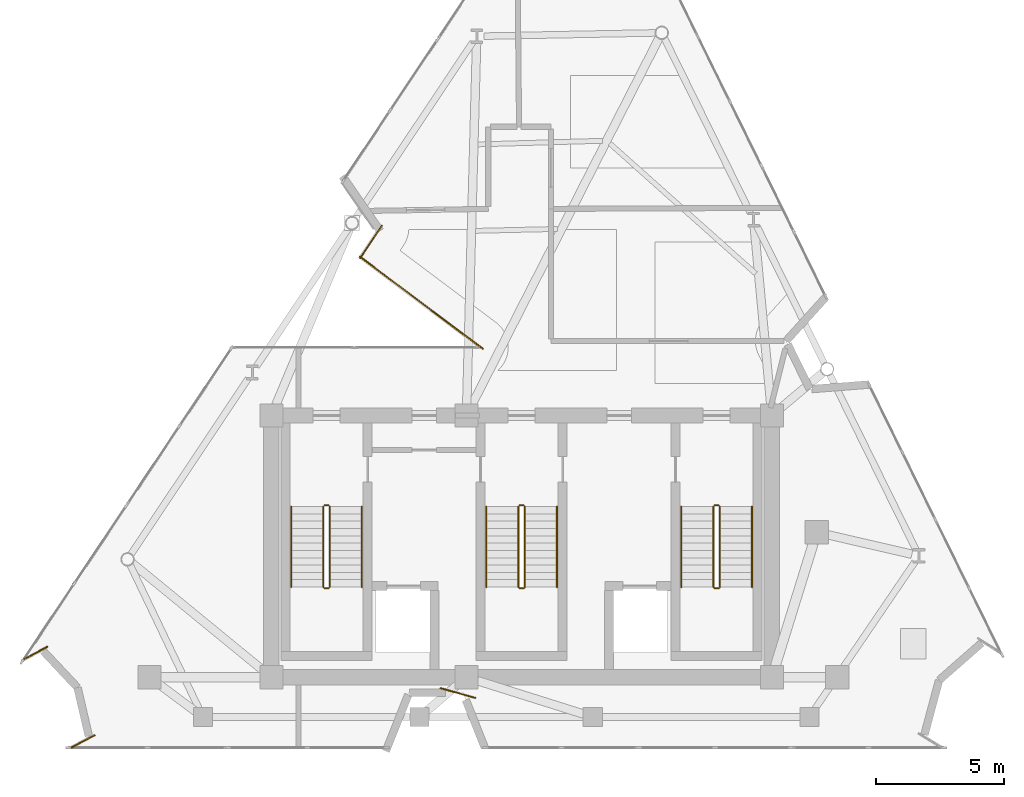
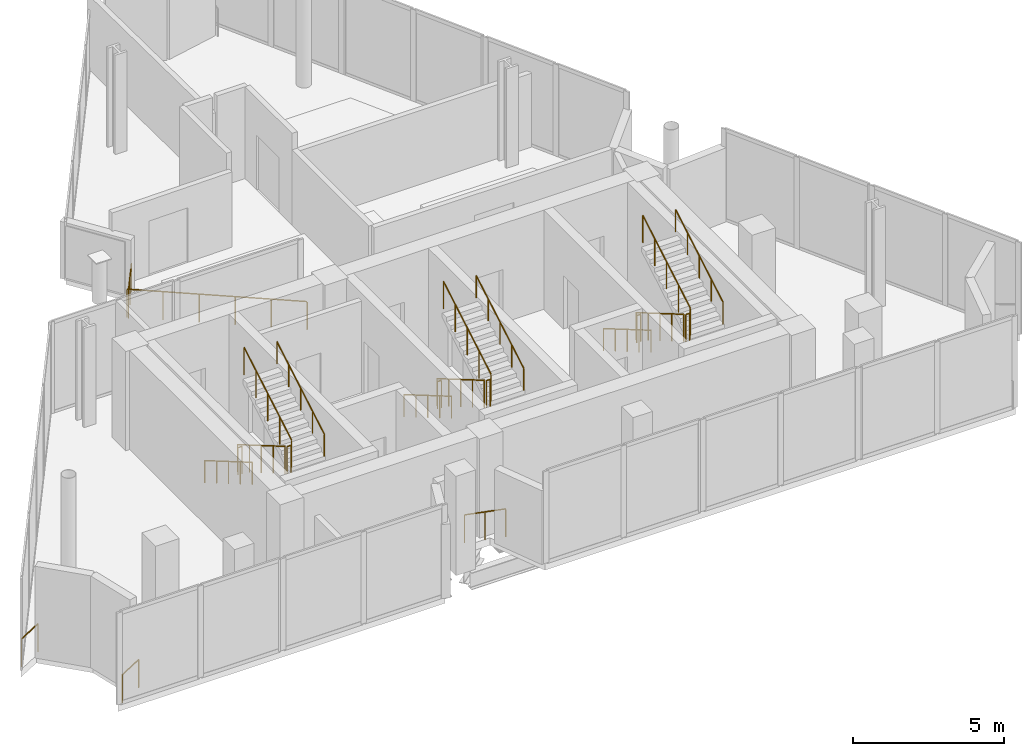
# One storey, part 8 of 9: 23 railings.
"""IFC4 building model written with IfcOpenShell, lengths in metres."""

import ifcopenshell
import ifcopenshell.guid

model = None  # the IFC model being written
_history = None  # IfcOwnerHistory: only IFC2X3 demands one
_inside = {}  # id of a spatial element -> (the spatial element, [elements in it])
_under = {}  # id of a project, library or spatial element -> (it, [spatial elements below it])
_declared = {}  # id of a project -> (the project, [libraries it declares])
_typed = {}  # id of a type object -> (the type object, [elements of that type])
_made_of = {}  # id of a material, layer set ... -> (it, [elements and type objects made of it])


def new_model(schema):
    """Start an empty IFC model of exactly this schema.

    Asked for "IFC4X3", IfcOpenShell would pick the latest addendum, in which some entities
    have other attributes; the version numbers below select the first issue.
    IFC2X3 requires an IfcOwnerHistory on every rooted entity: one is made here for all.
    """
    global model, _history
    if schema == "IFC4X3":
        model = ifcopenshell.file(schema_version=(4, 3, 0, 0))
    else:
        model = ifcopenshell.file(schema=schema)
    _inside.clear()
    _under.clear()
    _declared.clear()
    _typed.clear()
    _made_of.clear()
    _history = None
    if model.schema == "IFC2X3":
        org = make("IfcOrganization", Name="unknown")
        user = make(
            "IfcPersonAndOrganization",
            ThePerson=make("IfcPerson", FamilyName="unknown"),
            TheOrganization=org,
        )
        app = make(
            "IfcApplication",
            ApplicationDeveloper=org,
            Version="unknown",
            ApplicationFullName="unknown",
            ApplicationIdentifier="unknown",
        )
        _history = make(
            "IfcOwnerHistory",
            OwningUser=user,
            OwningApplication=app,
            ChangeAction="ADDED",
            CreationDate=0,
        )
    return model


def make(cls, **values):
    """One entity of the class cls with the attributes given. An attribute that is None is left unset."""
    return model.create_entity(
        cls, **{name: value for name, value in values.items() if value is not None}
    )


def rooted(cls, **values):
    """An entity with a GlobalId (a new one), such as an element, a storey or a relation."""
    return make(cls, GlobalId=ifcopenshell.guid.new(), OwnerHistory=_history, **values)


def si_unit(unit_type, name, prefix=None):
    """IfcSIUnit, for example si_unit("LENGTHUNIT", "METRE", prefix="MILLI")."""
    return make("IfcSIUnit", UnitType=unit_type, Prefix=prefix, Name=name)


def assignment(units):
    """IfcUnitAssignment: the units of a project."""
    return None if units is None else make("IfcUnitAssignment", Units=units)


def point(xyz):
    """IfcCartesianPoint."""
    return None if xyz is None else make("IfcCartesianPoint", Coordinates=xyz)


def direction(xyz):
    """IfcDirection."""
    return None if xyz is None else make("IfcDirection", DirectionRatios=xyz)


def frame(location, z_axis=None, x_axis=None):
    """IfcAxis2Placement3D, a coordinate frame: its origin and axes. An axis left out is left unset."""
    return make(
        "IfcAxis2Placement3D",
        Location=point(location),
        Axis=direction(z_axis),
        RefDirection=direction(x_axis),
    )


def frame_2d(location, x_axis=None):
    """IfcAxis2Placement2D, a coordinate frame in the plane: its origin and x axis."""
    return make(
        "IfcAxis2Placement2D", Location=point(location), RefDirection=direction(x_axis)
    )


def origin():
    """The frame at (0, 0, 0) with its axes left unset."""
    return frame((0.0, 0.0, 0.0))


def origin_2d():
    """The frame at (0, 0) in the plane with its x axis left unset."""
    return frame_2d((0.0, 0.0))


def place(relative_to, where):
    """IfcLocalPlacement: puts the frame where relative to a parent placement (None: the world)."""
    return make(
        "IfcLocalPlacement", PlacementRelTo=relative_to, RelativePlacement=where
    )


def context(
    kind, dimensions, precision=None, world=None, true_north=None, identifier=None
):
    """IfcGeometricRepresentationContext, for example the 3D "Model" context."""
    return make(
        "IfcGeometricRepresentationContext",
        ContextIdentifier=identifier,
        ContextType=kind,
        CoordinateSpaceDimension=dimensions,
        Precision=precision,
        WorldCoordinateSystem=world,
        TrueNorth=true_north,
    )


def subcontext(parent, identifier, kind, view, scale=None):
    """IfcGeometricRepresentationSubContext, for example "Body" below "Model"."""
    return make(
        "IfcGeometricRepresentationSubContext",
        ContextIdentifier=identifier,
        ContextType=kind,
        ParentContext=parent,
        TargetScale=scale,
        TargetView=view,
    )


def project(units=None, contexts=None):
    """IfcProject with its units and contexts."""
    return rooted(
        "IfcProject",
        Name="project",
        RepresentationContexts=contexts,
        UnitsInContext=assignment(units),
    )


def spatial(cls, under=None, at=None, **own):
    """A site, building, storey or space (cls), placed at a placement, below another one or the project."""
    s = rooted(cls, ObjectPlacement=at, **own)
    if under is not None:
        _under.setdefault(under.id(), (under, []))[1].append(s)
    return s


def profile(cls, at=None, kind="AREA", **sizes):
    """A parametric profile (cls). Its sizes go by their IFC names, for example OverallWidth=200.0."""
    return make(cls, ProfileType=kind, Position=at, **sizes)


def circle(**sizes):
    """IfcCircleProfileDef."""
    return profile("IfcCircleProfileDef", **sizes)


def extrude(swept, where, along, depth):
    """IfcExtrudedAreaSolid: the profile swept, set in the frame where, extruded along a direction by depth."""
    return make(
        "IfcExtrudedAreaSolid",
        SweptArea=swept,
        Position=where,
        ExtrudedDirection=direction(along),
        Depth=depth,
    )


def shape(context_of_items, identifier, shape_type, items):
    """IfcShapeRepresentation: the items that make up one representation, for example the "Body"."""
    return make(
        "IfcShapeRepresentation",
        ContextOfItems=context_of_items,
        RepresentationIdentifier=identifier,
        RepresentationType=shape_type,
        Items=items,
    )


def material(Name=None, Category=None):
    """IfcMaterial."""
    return make("IfcMaterial", Name=Name, Category=Category)


def made_of(thing, what):
    """Note that an element or type object is made of a material, layer set ...; save() writes the relation."""
    if what is not None:
        _made_of.setdefault(what.id(), (what, []))[1].append(thing)
    return thing


def type_object(cls, material=None, **own):
    """A type object (cls), such as IfcWallType, which elements share."""
    return made_of(rooted(cls, **own), material)


def element(
    cls,
    number,
    at=None,
    inside=None,
    cuts=None,
    type_object=None,
    material=None,
    context=None,
    identifier="Body",
    shape_type=None,
    held_by="IfcProductDefinitionShape",
    body=None,
    shapes=None,
    **own,
):
    """One element of the class cls, such as IfcWall. Its Tag is "e" and its number.

    at: its placement. inside: the storey or other place that contains it. cuts: it is an
    opening in that element (IfcRelVoidsElement). A single representation is given by context,
    identifier, shape_type and body (its items); several are given by shapes. held_by: the class
    of the entity that holds the representations. save() writes the other relations.
    """
    e = rooted(cls, Tag="e%d" % number, ObjectPlacement=at, **own)
    if body is not None:
        shapes = [shape(context, identifier, shape_type, body)]
    if shapes is not None:
        e.Representation = make(held_by, Representations=shapes)
    if inside is not None:
        _inside.setdefault(inside.id(), (inside, []))[1].append(e)
    if cuts is not None:
        rooted(
            "IfcRelVoidsElement", RelatingBuildingElement=cuts, RelatedOpeningElement=e
        )
    if type_object is not None:
        _typed.setdefault(type_object.id(), (type_object, []))[1].append(e)
    return made_of(e, material)


def aggregate(whole, parts):
    """IfcRelAggregates: a whole, such as a stair, and the parts it consists of."""
    return rooted("IfcRelAggregates", RelatingObject=whole, RelatedObjects=parts)


def save(model, path):
    """Write the relations noted so far, then the file.

    IfcRelAggregates (storeys below a building ...), IfcRelContainedInSpatialStructure (elements
    in a storey), IfcRelDefinesByType, IfcRelAssociatesMaterial and IfcRelDeclares: one each for
    every whole, place, type object, material and project.
    """
    for whole, parts in _under.values():
        aggregate(whole, parts)
    for where, things in _inside.values():
        rooted(
            "IfcRelContainedInSpatialStructure",
            RelatedElements=things,
            RelatingStructure=where,
        )
    for kind, things in _typed.values():
        rooted("IfcRelDefinesByType", RelatedObjects=things, RelatingType=kind)
    for what, things in _made_of.values():
        rooted("IfcRelAssociatesMaterial", RelatedObjects=things, RelatingMaterial=what)
    for by, libraries in _declared.values():
        rooted("IfcRelDeclares", RelatingContext=by, RelatedDefinitions=libraries)
    model.write(path)


model = new_model("IFC4")

# Units and contexts
model_context = context("Model", 3, precision=1e-05, world=origin(), true_north=direction((0.0, 1.0)))
body_context = subcontext(model_context, "Body", "Model", "MODEL_VIEW")
ifc_project = project(units=[si_unit("LENGTHUNIT", "METRE"), si_unit("AREAUNIT", "SQUARE_METRE"), si_unit("VOLUMEUNIT", "CUBIC_METRE"), si_unit("PLANEANGLEUNIT", "RADIAN"), si_unit("MASSUNIT", "GRAM", prefix="KILO")], contexts=[model_context])

# Site, building, storey
site_placement = place(None, origin())
site = spatial("IfcSite", under=ifc_project, at=site_placement, CompositionType="ELEMENT")
building_placement = place(site_placement, origin())
building = spatial("IfcBuilding", under=site, at=building_placement, Name="Almagre Mirador Tower", CompositionType="ELEMENT")
storey_placement = place(building_placement, frame((0.0, 0.0, 314.5)))
storey = spatial("IfcBuildingStorey", under=building, at=storey_placement, Name="L81", CompositionType="ELEMENT", Elevation=314.5)

# Railings
ifc_material_1 = material(Name="Black anodized aluminium", Category="aluminium")
railing_type_1 = type_object("IfcRailingType", Name="RLG-BAL-1150", PredefinedType="BALUSTRADE", material=ifc_material_1)
railing_1_placement = place(storey_placement, frame((35.78076171875, 17.35205078125, 0.0)))
element("IfcRailing", 1, at=railing_1_placement, inside=storey, type_object=railing_type_1, Name="L81 perimeter edge balustrade 01", PredefinedType="BALUSTRADE", context=body_context, shape_type="SweptSolid", body=[
    extrude(circle(Radius=0.02392578125, at=origin_2d()), frame((0.0, 0.0, 1.1259765625), z_axis=(-0.800014678181, 0.599980428593, 0.0), x_axis=(-0.599980428593, -0.800014678181, 0.0)), (0.0, 0.0, 1.0), 5.98779296875),
    extrude(circle(Radius=0.02099609375, at=origin_2d()), origin(), (0.0, 0.0, 1.0), 1.101806640625),
    extrude(circle(Radius=0.02099609375, at=origin_2d()), frame((-0.9580078125, 0.718505859375, 0.0)), (0.0, 0.0, 1.0), 1.101806640625),
    extrude(circle(Radius=0.02099609375, at=origin_2d()), frame((-1.916015625, 1.43701171875, 0.0)), (0.0, 0.0, 1.0), 1.101806640625),
    extrude(circle(Radius=0.02099609375, at=origin_2d()), frame((-2.874267578125, 2.155517578125, 0.0)), (0.0, 0.0, 1.0), 1.101806640625),
    extrude(circle(Radius=0.02099609375, at=origin_2d()), frame((-3.832275390625, 2.8740234375, 0.0)), (0.0, 0.0, 1.0), 1.101806640625),
    extrude(circle(Radius=0.02099609375, at=origin_2d()), frame((-4.790283203125, 3.592529296875, 0.0)), (0.0, 0.0, 1.0), 1.101806640625),
])
railing_2_placement = place(storey_placement, frame((31.002685546875, 20.873046875, 0.0)))
element("IfcRailing", 2, at=railing_2_placement, inside=storey, type_object=railing_type_1, Name="L81 perimeter edge balustrade 02", PredefinedType="BALUSTRADE", context=body_context, shape_type="SweptSolid", body=[
    extrude(circle(Radius=0.02392578125, at=origin_2d()), frame((0.0, 0.0, 1.1259765625), z_axis=(0.554957406346, 0.831878763487, 0.0), x_axis=(-0.831878763487, 0.554957406346, 0.0)), (0.0, 0.0, 1.0), 1.533203125),
    extrude(circle(Radius=0.02099609375, at=origin_2d()), origin(), (0.0, 0.0, 1.0), 1.101806640625),
    extrude(circle(Radius=0.02099609375, at=origin_2d()), frame((0.42529296875, 0.6376953125, 0.0)), (0.0, 0.0, 1.0), 1.101806640625),
    extrude(circle(Radius=0.02099609375, at=origin_2d()), frame((0.850830078125, 1.275390625, 0.0)), (0.0, 0.0, 1.0), 1.101806640625),
])
railing_3_placement = place(storey_placement, frame((35.4912109375, 3.74462890625, 0.0)))
element("IfcRailing", 3, at=railing_3_placement, inside=storey, type_object=railing_type_1, Name="L81 perimeter edge balustrade 07", PredefinedType="BALUSTRADE", context=body_context, shape_type="SweptSolid", body=[
    extrude(circle(Radius=0.02392578125, at=origin_2d()), frame((0.0, 0.0, 1.1259765625), z_axis=(-0.963090412307, 0.269178115237, 0.0), x_axis=(-0.269178115237, -0.963090412307, 0.0)), (0.0, 0.0, 1.0), 1.403076171875),
    extrude(circle(Radius=0.02099609375, at=origin_2d()), origin(), (0.0, 0.0, 1.0), 1.101806640625),
    extrude(circle(Radius=0.02099609375, at=origin_2d()), frame((-0.67578125, 0.18896484375, 0.0)), (0.0, 0.0, 1.0), 1.101806640625),
    extrude(circle(Radius=0.02099609375, at=origin_2d()), frame((-1.351318359375, 0.377685546875, 0.0)), (0.0, 0.0, 1.0), 1.101806640625),
])
railing_4_placement = place(storey_placement, frame((19.74951171875, 1.800537109375, 0.0)))
element("IfcRailing", 4, at=railing_4_placement, inside=storey, type_object=railing_type_1, Name="L81 perimeter edge balustrade 08", PredefinedType="BALUSTRADE", context=body_context, shape_type="SweptSolid", body=[
    extrude(circle(Radius=0.02392578125, at=origin_2d()), frame((0.0, 0.0, 1.1259765625), z_axis=(0.881494030228, 0.472195165871, 0.0), x_axis=(-0.472195165871, 0.881494030228, 0.0)), (0.0, 0.0, 1.0), 1.032470703125),
    extrude(circle(Radius=0.02099609375, at=origin_2d()), origin(), (0.0, 0.0, 1.0), 1.101806640625),
    extrude(circle(Radius=0.02099609375, at=origin_2d()), frame((0.91015625, 0.487548828125, 0.0)), (0.0, 0.0, 1.0), 1.101806640625),
])
railing_5_placement = place(storey_placement, frame((18.814697265625, 5.7373046875, 0.0)))
element("IfcRailing", 5, at=railing_5_placement, inside=storey, type_object=railing_type_1, Name="L81 perimeter edge balustrade 09", PredefinedType="BALUSTRADE", context=body_context, shape_type="SweptSolid", body=[
    extrude(circle(Radius=0.02392578125, at=origin_2d()), frame((0.0, 0.0, 1.1259765625), z_axis=(-0.881985926768, -0.471275741985, 0.0), x_axis=(0.471275741985, -0.881985926768, 0.0)), (0.0, 0.0, 1.0), 1.031982421875),
    extrude(circle(Radius=0.02099609375, at=origin_2d()), origin(), (0.0, 0.0, 1.0), 1.101806640625),
    extrude(circle(Radius=0.02099609375, at=origin_2d()), frame((-0.91015625, -0.486328125, 0.0)), (0.0, 0.0, 1.0), 1.101806640625),
])
ifc_material_2 = material(Name="Painted galvanized steel", Category="steel")
railing_type_2 = type_object("IfcRailingType", Name="RLG-GRD-1100", PredefinedType="GUARDRAIL", material=ifc_material_2)
railing_6_placement = place(storey_placement, frame((29.574951171875, 11.199951171875, 0.166748046875)))
element("IfcRailing", 6, at=railing_6_placement, inside=storey, type_object=railing_type_2, Name="L81 ST-1 stair guard 1", PredefinedType="GUARDRAIL", context=body_context, shape_type="SweptSolid", body=[
    extrude(circle(Radius=0.02392578125, at=origin_2d()), frame((0.0, 0.0, 1.09619140625), z_axis=(0.0, -0.863239559939, 0.504794475164), x_axis=(1.0, 0.0, 0.0)), (0.0, 0.0, 1.0), 3.631591796875),
    extrude(circle(Radius=0.02099609375, at=origin_2d()), origin(), (0.0, 0.0, 1.0), 1.072021484375),
    extrude(circle(Radius=0.02099609375, at=origin_2d()), frame((0.0, -0.78369140625, 0.458251953125)), (0.0, 0.0, 1.0), 1.072021484375),
    extrude(circle(Radius=0.02099609375, at=origin_2d()), frame((0.0, -1.5673828125, 0.91650390625)), (0.0, 0.0, 1.0), 1.072021484375),
    extrude(circle(Radius=0.02099609375, at=origin_2d()), frame((0.0, -2.351318359375, 1.375)), (0.0, 0.0, 1.0), 1.072021484375),
    extrude(circle(Radius=0.02099609375, at=origin_2d()), frame((0.0, -3.135009765625, 1.833251953125)), (0.0, 0.0, 1.0), 1.072021484375),
])
railing_7_placement = place(storey_placement, frame((29.625, 8.014892578125, 2.0)))
element("IfcRailing", 7, at=railing_7_placement, inside=storey, type_object=railing_type_2, Name="L81 ST-1 stair guard 2", PredefinedType="GUARDRAIL", context=body_context, shape_type="SweptSolid", body=[
    extrude(circle(Radius=0.02392578125, at=origin_2d()), frame((0.0, 0.0, 1.09619140625), z_axis=(1.0, 0.0, 0.0), x_axis=(0.0, 1.0, 0.0)), (0.0, 0.0, 1.0), 0.14990234375),
    extrude(circle(Radius=0.02099609375, at=origin_2d()), origin(), (0.0, 0.0, 1.0), 1.072021484375),
    extrude(circle(Radius=0.02099609375, at=origin_2d()), frame((0.14990234375, 0.0, 0.0)), (0.0, 0.0, 1.0), 1.072021484375),
])
railing_8_placement = place(storey_placement, frame((29.824951171875, 8.06494140625, 2.166748046875)))
element("IfcRailing", 8, at=railing_8_placement, inside=storey, type_object=railing_type_2, Name="L81 ST-1 stair guard 3", PredefinedType="GUARDRAIL", context=body_context, shape_type="SweptSolid", body=[
    extrude(circle(Radius=0.02392578125, at=origin_2d()), frame((0.0, 0.0, 1.09619140625), z_axis=(0.0, 0.863239559939, 0.504794475164), x_axis=(-1.0, 0.0, 0.0)), (0.0, 0.0, 1.0), 3.631591796875),
    extrude(circle(Radius=0.02099609375, at=origin_2d()), origin(), (0.0, 0.0, 1.0), 1.072021484375),
    extrude(circle(Radius=0.02099609375, at=origin_2d()), frame((0.0, 0.78369140625, 0.458251953125)), (0.0, 0.0, 1.0), 1.072021484375),
    extrude(circle(Radius=0.02099609375, at=origin_2d()), frame((0.0, 1.5673828125, 0.91650390625)), (0.0, 0.0, 1.0), 1.072021484375),
    extrude(circle(Radius=0.02099609375, at=origin_2d()), frame((0.0, 2.351318359375, 1.375)), (0.0, 0.0, 1.0), 1.072021484375),
    extrude(circle(Radius=0.02099609375, at=origin_2d()), frame((0.0, 3.135009765625, 1.833251953125)), (0.0, 0.0, 1.0), 1.072021484375),
])
railing_9_placement = place(storey_placement, frame((29.625, 11.25, 0.0)))
element("IfcRailing", 9, at=railing_9_placement, inside=storey, type_object=railing_type_2, Name="L81 ST-1 stair guard 4", PredefinedType="GUARDRAIL", context=body_context, shape_type="SweptSolid", body=[
    extrude(circle(Radius=0.02392578125, at=origin_2d()), frame((0.0, 0.0, 1.09619140625), z_axis=(1.0, 0.0, 0.0), x_axis=(0.0, 1.0, 0.0)), (0.0, 0.0, 1.0), 0.14990234375),
    extrude(circle(Radius=0.02099609375, at=origin_2d()), origin(), (0.0, 0.0, 1.0), 1.072021484375),
    extrude(circle(Radius=0.02099609375, at=origin_2d()), frame((0.14990234375, 0.0, 0.0)), (0.0, 0.0, 1.0), 1.072021484375),
])
railing_10_placement = place(storey_placement, frame((37.175048828125, 11.199951171875, 0.166748046875)))
element("IfcRailing", 10, at=railing_10_placement, inside=storey, type_object=railing_type_2, Name="L81 ST-2 stair guard 1", PredefinedType="GUARDRAIL", context=body_context, shape_type="SweptSolid", body=[
    extrude(circle(Radius=0.02392578125, at=origin_2d()), frame((0.0, 0.0, 1.09619140625), z_axis=(0.0, -0.863239559939, 0.504794475164), x_axis=(1.0, 0.0, 0.0)), (0.0, 0.0, 1.0), 3.631591796875),
    extrude(circle(Radius=0.02099609375, at=origin_2d()), origin(), (0.0, 0.0, 1.0), 1.072021484375),
    extrude(circle(Radius=0.02099609375, at=origin_2d()), frame((0.0, -0.78369140625, 0.458251953125)), (0.0, 0.0, 1.0), 1.072021484375),
    extrude(circle(Radius=0.02099609375, at=origin_2d()), frame((0.0, -1.5673828125, 0.91650390625)), (0.0, 0.0, 1.0), 1.072021484375),
    extrude(circle(Radius=0.02099609375, at=origin_2d()), frame((0.0, -2.351318359375, 1.375)), (0.0, 0.0, 1.0), 1.072021484375),
    extrude(circle(Radius=0.02099609375, at=origin_2d()), frame((0.0, -3.135009765625, 1.833251953125)), (0.0, 0.0, 1.0), 1.072021484375),
])
railing_11_placement = place(storey_placement, frame((37.22509765625, 8.014892578125, 2.0)))
element("IfcRailing", 11, at=railing_11_placement, inside=storey, type_object=railing_type_2, Name="L81 ST-2 stair guard 2", PredefinedType="GUARDRAIL", context=body_context, shape_type="SweptSolid", body=[
    extrude(circle(Radius=0.02392578125, at=origin_2d()), frame((0.0, 0.0, 1.09619140625), z_axis=(1.0, 0.0, 0.0), x_axis=(0.0, 1.0, 0.0)), (0.0, 0.0, 1.0), 0.14990234375),
    extrude(circle(Radius=0.02099609375, at=origin_2d()), origin(), (0.0, 0.0, 1.0), 1.072021484375),
    extrude(circle(Radius=0.02099609375, at=origin_2d()), frame((0.14990234375, 0.0, 0.0)), (0.0, 0.0, 1.0), 1.072021484375),
])
railing_12_placement = place(storey_placement, frame((37.425048828125, 8.06494140625, 2.166748046875)))
element("IfcRailing", 12, at=railing_12_placement, inside=storey, type_object=railing_type_2, Name="L81 ST-2 stair guard 3", PredefinedType="GUARDRAIL", context=body_context, shape_type="SweptSolid", body=[
    extrude(circle(Radius=0.02392578125, at=origin_2d()), frame((0.0, 0.0, 1.09619140625), z_axis=(0.0, 0.863239559939, 0.504794475164), x_axis=(-1.0, 0.0, 0.0)), (0.0, 0.0, 1.0), 3.631591796875),
    extrude(circle(Radius=0.02099609375, at=origin_2d()), origin(), (0.0, 0.0, 1.0), 1.072021484375),
    extrude(circle(Radius=0.02099609375, at=origin_2d()), frame((0.0, 0.78369140625, 0.458251953125)), (0.0, 0.0, 1.0), 1.072021484375),
    extrude(circle(Radius=0.02099609375, at=origin_2d()), frame((0.0, 1.5673828125, 0.91650390625)), (0.0, 0.0, 1.0), 1.072021484375),
    extrude(circle(Radius=0.02099609375, at=origin_2d()), frame((0.0, 2.351318359375, 1.375)), (0.0, 0.0, 1.0), 1.072021484375),
    extrude(circle(Radius=0.02099609375, at=origin_2d()), frame((0.0, 3.135009765625, 1.833251953125)), (0.0, 0.0, 1.0), 1.072021484375),
])
railing_13_placement = place(storey_placement, frame((37.22509765625, 11.25, 0.0)))
element("IfcRailing", 13, at=railing_13_placement, inside=storey, type_object=railing_type_2, Name="L81 ST-2 stair guard 4", PredefinedType="GUARDRAIL", context=body_context, shape_type="SweptSolid", body=[
    extrude(circle(Radius=0.02392578125, at=origin_2d()), frame((0.0, 0.0, 1.09619140625), z_axis=(1.0, 0.0, 0.0), x_axis=(0.0, 1.0, 0.0)), (0.0, 0.0, 1.0), 0.14990234375),
    extrude(circle(Radius=0.02099609375, at=origin_2d()), origin(), (0.0, 0.0, 1.0), 1.072021484375),
    extrude(circle(Radius=0.02099609375, at=origin_2d()), frame((0.14990234375, 0.0, 0.0)), (0.0, 0.0, 1.0), 1.072021484375),
])
railing_14_placement = place(storey_placement, frame((44.77490234375, 11.199951171875, 0.166748046875)))
element("IfcRailing", 14, at=railing_14_placement, inside=storey, type_object=railing_type_2, Name="L81 ST-3 stair guard 1", PredefinedType="GUARDRAIL", context=body_context, shape_type="SweptSolid", body=[
    extrude(circle(Radius=0.02392578125, at=origin_2d()), frame((0.0, 0.0, 1.09619140625), z_axis=(0.0, -0.863239559939, 0.504794475164), x_axis=(1.0, 0.0, 0.0)), (0.0, 0.0, 1.0), 3.631591796875),
    extrude(circle(Radius=0.02099609375, at=origin_2d()), origin(), (0.0, 0.0, 1.0), 1.072021484375),
    extrude(circle(Radius=0.02099609375, at=origin_2d()), frame((0.0, -0.78369140625, 0.458251953125)), (0.0, 0.0, 1.0), 1.072021484375),
    extrude(circle(Radius=0.02099609375, at=origin_2d()), frame((0.0, -1.5673828125, 0.91650390625)), (0.0, 0.0, 1.0), 1.072021484375),
    extrude(circle(Radius=0.02099609375, at=origin_2d()), frame((0.0, -2.351318359375, 1.375)), (0.0, 0.0, 1.0), 1.072021484375),
    extrude(circle(Radius=0.02099609375, at=origin_2d()), frame((0.0, -3.135009765625, 1.833251953125)), (0.0, 0.0, 1.0), 1.072021484375),
])
railing_15_placement = place(storey_placement, frame((44.824951171875, 8.014892578125, 2.0)))
element("IfcRailing", 15, at=railing_15_placement, inside=storey, type_object=railing_type_2, Name="L81 ST-3 stair guard 2", PredefinedType="GUARDRAIL", context=body_context, shape_type="SweptSolid", body=[
    extrude(circle(Radius=0.02392578125, at=origin_2d()), frame((0.0, 0.0, 1.09619140625), z_axis=(1.0, 0.0, 0.0), x_axis=(0.0, 1.0, 0.0)), (0.0, 0.0, 1.0), 0.150146484375),
    extrude(circle(Radius=0.02099609375, at=origin_2d()), origin(), (0.0, 0.0, 1.0), 1.072021484375),
    extrude(circle(Radius=0.02099609375, at=origin_2d()), frame((0.150146484375, 0.0, 0.0)), (0.0, 0.0, 1.0), 1.072021484375),
])
railing_16_placement = place(storey_placement, frame((45.02490234375, 8.06494140625, 2.166748046875)))
element("IfcRailing", 16, at=railing_16_placement, inside=storey, type_object=railing_type_2, Name="L81 ST-3 stair guard 3", PredefinedType="GUARDRAIL", context=body_context, shape_type="SweptSolid", body=[
    extrude(circle(Radius=0.02392578125, at=origin_2d()), frame((0.0, 0.0, 1.09619140625), z_axis=(0.0, 0.863239559939, 0.504794475164), x_axis=(-1.0, 0.0, 0.0)), (0.0, 0.0, 1.0), 3.631591796875),
    extrude(circle(Radius=0.02099609375, at=origin_2d()), origin(), (0.0, 0.0, 1.0), 1.072021484375),
    extrude(circle(Radius=0.02099609375, at=origin_2d()), frame((0.0, 0.78369140625, 0.458251953125)), (0.0, 0.0, 1.0), 1.072021484375),
    extrude(circle(Radius=0.02099609375, at=origin_2d()), frame((0.0, 1.5673828125, 0.91650390625)), (0.0, 0.0, 1.0), 1.072021484375),
    extrude(circle(Radius=0.02099609375, at=origin_2d()), frame((0.0, 2.351318359375, 1.375)), (0.0, 0.0, 1.0), 1.072021484375),
    extrude(circle(Radius=0.02099609375, at=origin_2d()), frame((0.0, 3.135009765625, 1.833251953125)), (0.0, 0.0, 1.0), 1.072021484375),
])
railing_17_placement = place(storey_placement, frame((44.824951171875, 11.25, 0.0)))
element("IfcRailing", 17, at=railing_17_placement, inside=storey, type_object=railing_type_2, Name="L81 ST-3 stair guard 4", PredefinedType="GUARDRAIL", context=body_context, shape_type="SweptSolid", body=[
    extrude(circle(Radius=0.02392578125, at=origin_2d()), frame((0.0, 0.0, 1.09619140625), z_axis=(1.0, 0.0, 0.0), x_axis=(0.0, 1.0, 0.0)), (0.0, 0.0, 1.0), 0.150146484375),
    extrude(circle(Radius=0.02099609375, at=origin_2d()), origin(), (0.0, 0.0, 1.0), 1.072021484375),
    extrude(circle(Radius=0.02099609375, at=origin_2d()), frame((0.150146484375, 0.0, 0.0)), (0.0, 0.0, 1.0), 1.072021484375),
])
ifc_material_3 = material(Name="Brushed stainless steel", Category="steel")
railing_type_3 = type_object("IfcRailingType", Name="RLG-HND-915", PredefinedType="HANDRAIL", material=ifc_material_3)
railing_18_placement = place(storey_placement, frame((28.324951171875, 11.199951171875, 0.166748046875)))
element("IfcRailing", 18, at=railing_18_placement, inside=storey, type_object=railing_type_3, Name="L81 ST-1 stair handrail 1", PredefinedType="HANDRAIL", context=body_context, shape_type="SweptSolid", body=[
    extrude(circle(Radius=0.02392578125, at=origin_2d()), frame((0.0, 0.0, 0.89111328125), z_axis=(0.0, -0.863239559939, 0.504794475164), x_axis=(1.0, 0.0, 0.0)), (0.0, 0.0, 1.0), 3.631591796875),
    extrude(circle(Radius=0.02099609375, at=origin_2d()), origin(), (0.0, 0.0, 1.0), 0.866943359375),
    extrude(circle(Radius=0.02099609375, at=origin_2d()), frame((0.0, -0.78369140625, 0.458251953125)), (0.0, 0.0, 1.0), 0.866943359375),
    extrude(circle(Radius=0.02099609375, at=origin_2d()), frame((0.0, -1.5673828125, 0.91650390625)), (0.0, 0.0, 1.0), 0.866943359375),
    extrude(circle(Radius=0.02099609375, at=origin_2d()), frame((0.0, -2.351318359375, 1.375)), (0.0, 0.0, 1.0), 0.866943359375),
    extrude(circle(Radius=0.02099609375, at=origin_2d()), frame((0.0, -3.135009765625, 1.833251953125)), (0.0, 0.0, 1.0), 0.866943359375),
])
railing_19_placement = place(storey_placement, frame((31.074951171875, 8.06494140625, 2.166748046875)))
element("IfcRailing", 19, at=railing_19_placement, inside=storey, type_object=railing_type_3, Name="L81 ST-1 stair handrail 2", PredefinedType="HANDRAIL", context=body_context, shape_type="SweptSolid", body=[
    extrude(circle(Radius=0.02392578125, at=origin_2d()), frame((0.0, 0.0, 0.89111328125), z_axis=(0.0, 0.863239559939, 0.504794475164), x_axis=(-1.0, 0.0, 0.0)), (0.0, 0.0, 1.0), 3.631591796875),
    extrude(circle(Radius=0.02099609375, at=origin_2d()), origin(), (0.0, 0.0, 1.0), 0.866943359375),
    extrude(circle(Radius=0.02099609375, at=origin_2d()), frame((0.0, 0.78369140625, 0.458251953125)), (0.0, 0.0, 1.0), 0.866943359375),
    extrude(circle(Radius=0.02099609375, at=origin_2d()), frame((0.0, 1.5673828125, 0.91650390625)), (0.0, 0.0, 1.0), 0.866943359375),
    extrude(circle(Radius=0.02099609375, at=origin_2d()), frame((0.0, 2.351318359375, 1.375)), (0.0, 0.0, 1.0), 0.866943359375),
    extrude(circle(Radius=0.02099609375, at=origin_2d()), frame((0.0, 3.135009765625, 1.833251953125)), (0.0, 0.0, 1.0), 0.866943359375),
])
railing_20_placement = place(storey_placement, frame((35.925048828125, 11.199951171875, 0.166748046875)))
element("IfcRailing", 20, at=railing_20_placement, inside=storey, type_object=railing_type_3, Name="L81 ST-2 stair handrail 1", PredefinedType="HANDRAIL", context=body_context, shape_type="SweptSolid", body=[
    extrude(circle(Radius=0.02392578125, at=origin_2d()), frame((0.0, 0.0, 0.89111328125), z_axis=(0.0, -0.863239559939, 0.504794475164), x_axis=(1.0, 0.0, 0.0)), (0.0, 0.0, 1.0), 3.631591796875),
    extrude(circle(Radius=0.02099609375, at=origin_2d()), origin(), (0.0, 0.0, 1.0), 0.866943359375),
    extrude(circle(Radius=0.02099609375, at=origin_2d()), frame((0.0, -0.78369140625, 0.458251953125)), (0.0, 0.0, 1.0), 0.866943359375),
    extrude(circle(Radius=0.02099609375, at=origin_2d()), frame((0.0, -1.5673828125, 0.91650390625)), (0.0, 0.0, 1.0), 0.866943359375),
    extrude(circle(Radius=0.02099609375, at=origin_2d()), frame((0.0, -2.351318359375, 1.375)), (0.0, 0.0, 1.0), 0.866943359375),
    extrude(circle(Radius=0.02099609375, at=origin_2d()), frame((0.0, -3.135009765625, 1.833251953125)), (0.0, 0.0, 1.0), 0.866943359375),
])
railing_21_placement = place(storey_placement, frame((38.675048828125, 8.06494140625, 2.166748046875)))
element("IfcRailing", 21, at=railing_21_placement, inside=storey, type_object=railing_type_3, Name="L81 ST-2 stair handrail 2", PredefinedType="HANDRAIL", context=body_context, shape_type="SweptSolid", body=[
    extrude(circle(Radius=0.02392578125, at=origin_2d()), frame((0.0, 0.0, 0.89111328125), z_axis=(0.0, 0.863239559939, 0.504794475164), x_axis=(-1.0, 0.0, 0.0)), (0.0, 0.0, 1.0), 3.631591796875),
    extrude(circle(Radius=0.02099609375, at=origin_2d()), origin(), (0.0, 0.0, 1.0), 0.866943359375),
    extrude(circle(Radius=0.02099609375, at=origin_2d()), frame((0.0, 0.78369140625, 0.458251953125)), (0.0, 0.0, 1.0), 0.866943359375),
    extrude(circle(Radius=0.02099609375, at=origin_2d()), frame((0.0, 1.5673828125, 0.91650390625)), (0.0, 0.0, 1.0), 0.866943359375),
    extrude(circle(Radius=0.02099609375, at=origin_2d()), frame((0.0, 2.351318359375, 1.375)), (0.0, 0.0, 1.0), 0.866943359375),
    extrude(circle(Radius=0.02099609375, at=origin_2d()), frame((0.0, 3.135009765625, 1.833251953125)), (0.0, 0.0, 1.0), 0.866943359375),
])
railing_22_placement = place(storey_placement, frame((43.52490234375, 11.199951171875, 0.166748046875)))
element("IfcRailing", 22, at=railing_22_placement, inside=storey, type_object=railing_type_3, Name="L81 ST-3 stair handrail 1", PredefinedType="HANDRAIL", context=body_context, shape_type="SweptSolid", body=[
    extrude(circle(Radius=0.02392578125, at=origin_2d()), frame((0.0, 0.0, 0.89111328125), z_axis=(0.0, -0.863239559939, 0.504794475164), x_axis=(1.0, 0.0, 0.0)), (0.0, 0.0, 1.0), 3.631591796875),
    extrude(circle(Radius=0.02099609375, at=origin_2d()), origin(), (0.0, 0.0, 1.0), 0.866943359375),
    extrude(circle(Radius=0.02099609375, at=origin_2d()), frame((0.0, -0.78369140625, 0.458251953125)), (0.0, 0.0, 1.0), 0.866943359375),
    extrude(circle(Radius=0.02099609375, at=origin_2d()), frame((0.0, -1.5673828125, 0.91650390625)), (0.0, 0.0, 1.0), 0.866943359375),
    extrude(circle(Radius=0.02099609375, at=origin_2d()), frame((0.0, -2.351318359375, 1.375)), (0.0, 0.0, 1.0), 0.866943359375),
    extrude(circle(Radius=0.02099609375, at=origin_2d()), frame((0.0, -3.135009765625, 1.833251953125)), (0.0, 0.0, 1.0), 0.866943359375),
])
railing_23_placement = place(storey_placement, frame((46.27490234375, 8.06494140625, 2.166748046875)))
element("IfcRailing", 23, at=railing_23_placement, inside=storey, type_object=railing_type_3, Name="L81 ST-3 stair handrail 2", PredefinedType="HANDRAIL", context=body_context, shape_type="SweptSolid", body=[
    extrude(circle(Radius=0.02392578125, at=origin_2d()), frame((0.0, 0.0, 0.89111328125), z_axis=(0.0, 0.863239559939, 0.504794475164), x_axis=(-1.0, 0.0, 0.0)), (0.0, 0.0, 1.0), 3.631591796875),
    extrude(circle(Radius=0.02099609375, at=origin_2d()), origin(), (0.0, 0.0, 1.0), 0.866943359375),
    extrude(circle(Radius=0.02099609375, at=origin_2d()), frame((0.0, 0.78369140625, 0.458251953125)), (0.0, 0.0, 1.0), 0.866943359375),
    extrude(circle(Radius=0.02099609375, at=origin_2d()), frame((0.0, 1.5673828125, 0.91650390625)), (0.0, 0.0, 1.0), 0.866943359375),
    extrude(circle(Radius=0.02099609375, at=origin_2d()), frame((0.0, 2.351318359375, 1.375)), (0.0, 0.0, 1.0), 0.866943359375),
    extrude(circle(Radius=0.02099609375, at=origin_2d()), frame((0.0, 3.135009765625, 1.833251953125)), (0.0, 0.0, 1.0), 0.866943359375),
])

save(model, "model.ifc")
